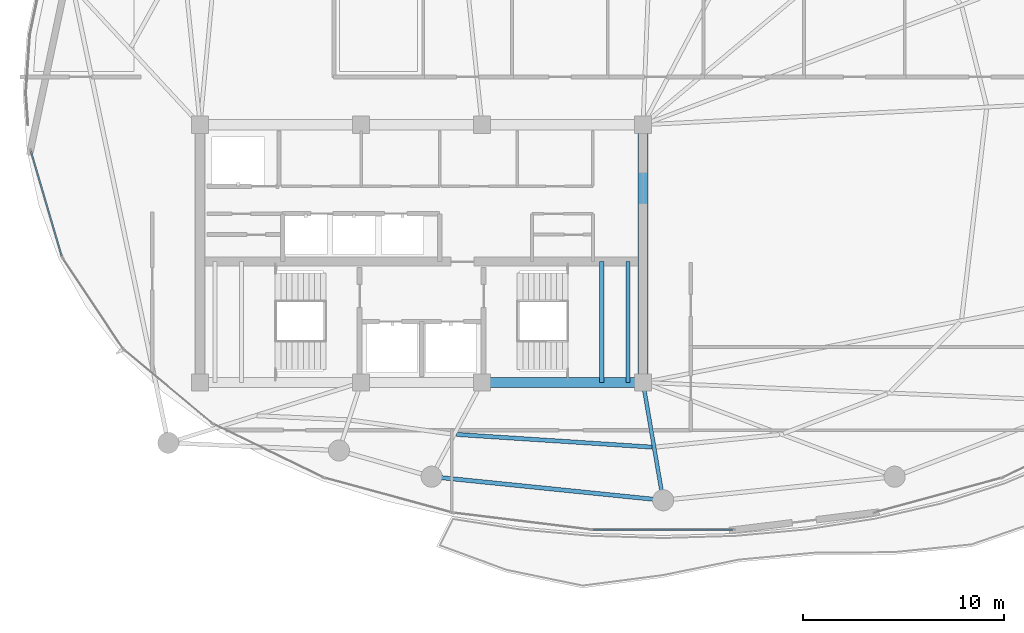
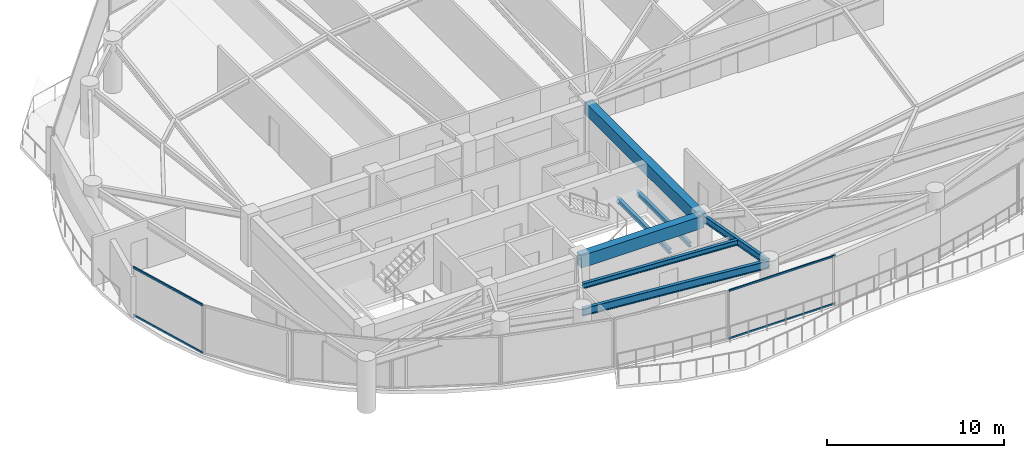
# One storey, part 6 of 28: 7 beams, 4 members, 2 elements without a shape of their own.
"""IFC4 building model written with IfcOpenShell, lengths in metres."""

from ifc_helpers import new_model, si_unit, direction, frame, origin, origin_2d, place, context, subcontext, project, spatial, rectangle, hollow_rectangle, i_section, extrude, material, layer, layer_set, material_profile, profile_set, type_object, element, aggregate, save


model = new_model("IFC4")

# Units and contexts
model_context = context("Model", 3, precision=1e-05, world=origin(), true_north=direction((0.0, 1.0)))
body_context = subcontext(model_context, "Body", "Model", "MODEL_VIEW")
ifc_project = project(units=[si_unit("LENGTHUNIT", "METRE"), si_unit("AREAUNIT", "SQUARE_METRE"), si_unit("VOLUMEUNIT", "CUBIC_METRE"), si_unit("PLANEANGLEUNIT", "RADIAN"), si_unit("MASSUNIT", "GRAM", prefix="KILO")], contexts=[model_context])

# Site, building, storey
site_placement = place(None, origin())
site = spatial("IfcSite", under=ifc_project, at=site_placement, CompositionType="ELEMENT")
building_placement = place(site_placement, origin())
building = spatial("IfcBuilding", under=site, at=building_placement, Name="Kazevale Care Tower and Concert Hall", CompositionType="ELEMENT")
storey_placement = place(building_placement, frame((0.0, 0.0, 246.0)))
storey = spatial("IfcBuildingStorey", under=building, at=storey_placement, Name="L65", CompositionType="ELEMENT", Elevation=246.0)

# Curtain wall, members
ifc_material_1 = material(Name="Aluminium 6063-T6 and Low-E Glass", Category="aluminium")
ifc_layer_1 = layer(ifc_material_1, 0.179931640625)
ifc_layer_set_1 = layer_set([ifc_layer_1], Name="Aluminium 6063-T6 and Low-E Glass")
curtain_wall_type_1 = type_object("IfcCurtainWallType", Name="Waist & Upper Residential Curtain Wall CW-4", PredefinedType="NOTDEFINED", material=ifc_layer_set_1)
curtain_wall_1_placement = place(storey_placement, origin())
curtain_wall_1 = element("IfcCurtainWall", 1, at=curtain_wall_1_placement, inside=storey, type_object=curtain_wall_type_1, Name="cw:L65:f12", PredefinedType="NOTDEFINED")
ifc_material_2 = material(Name="Aluminium 6063-T6", Category="aluminium")
ifc_material_profile_1 = material_profile(ifc_material_2, hollow_rectangle(XDim=0.080078125, YDim=0.139892578125, WallThickness=0.00390625, at=origin_2d()), Name="ALU80x140x4")
ifc_profile_set_1 = profile_set([ifc_material_profile_1], Name="Aluminium 6063-T6")
member_type_1 = type_object("IfcMemberType", Name="CW-4 Transom ALU80x140x4", PredefinedType="USERDEFINED", material=ifc_profile_set_1)
member_1_placement = place(storey_placement, frame((15.12548828125, 29.897705078125, 0.0400390625), z_axis=(-0.282102705943, 0.95938421047, 0.0), x_axis=(-0.95938421047, -0.282102705943, 0.0)))
member_1 = element("IfcMember", 2, at=member_1_placement, type_object=member_type_1, Name="CW-4 transom 1.1", ObjectType="TRANSOM", PredefinedType="USERDEFINED", context=body_context, shape_type="SweptSolid", body=[
    extrude(hollow_rectangle(XDim=0.080078125, YDim=0.139892578125, WallThickness=0.00390625, at=origin_2d()), origin(), (0.0, 0.0, 1.0), 5.402099609375),
])
member_2_placement = place(storey_placement, frame((15.12548828125, 29.897705078125, 3.320068359375), z_axis=(-0.282102705943, 0.95938421047, 0.0), x_axis=(-0.95938421047, -0.282102705943, 0.0)))
member_2 = element("IfcMember", 3, at=member_2_placement, type_object=member_type_1, Name="CW-4 transom 1.2", ObjectType="TRANSOM", PredefinedType="USERDEFINED", context=body_context, shape_type="SweptSolid", body=[
    extrude(hollow_rectangle(XDim=0.080078125, YDim=0.139892578125, WallThickness=0.00390625, at=origin_2d()), origin(), (0.0, 0.0, 1.0), 5.402099609375),
])
aggregate(curtain_wall_1, [member_1, member_2])

ifc_layer_2 = layer(ifc_material_1, 0.179931640625)
ifc_layer_set_2 = layer_set([ifc_layer_2], Name="Aluminium 6063-T6 and Low-E Glass")
curtain_wall_type_2 = type_object("IfcCurtainWallType", Name="Sheltered Concave Balcony Curtain Wall CW-5", PredefinedType="NOTDEFINED", material=ifc_layer_set_2)
curtain_wall_2_placement = place(storey_placement, origin())
curtain_wall_2 = element("IfcCurtainWall", 4, at=curtain_wall_2_placement, inside=storey, type_object=curtain_wall_type_2, Name="cw:L65:f06", PredefinedType="NOTDEFINED")
ifc_material_profile_2 = material_profile(ifc_material_2, hollow_rectangle(XDim=0.074951171875, YDim=0.1201171875, WallThickness=0.00390625, at=origin_2d()), Name="ALU75x120x4")
ifc_profile_set_2 = profile_set([ifc_material_profile_2], Name="Aluminium 6063-T6")
member_type_2 = type_object("IfcMemberType", Name="CW-5 Transom ALU75x120x4", PredefinedType="USERDEFINED", material=ifc_profile_set_2)
member_3_placement = place(storey_placement, frame((48.47509765625, 16.284912109375, 0.03759765625), z_axis=(-1.0, 0.0, 0.0), x_axis=(0.0, -1.0, 0.0)))
member_3 = element("IfcMember", 5, at=member_3_placement, type_object=member_type_2, Name="CW-5 transom 1.1", ObjectType="TRANSOM", PredefinedType="USERDEFINED", context=body_context, shape_type="SweptSolid", body=[
    extrude(hollow_rectangle(XDim=0.074951171875, YDim=0.1201171875, WallThickness=0.00390625, at=origin_2d()), origin(), (0.0, 0.0, 1.0), 6.9501953125),
])
member_4_placement = place(storey_placement, frame((48.47509765625, 16.284912109375, 3.322509765625), z_axis=(-1.0, 0.0, 0.0), x_axis=(0.0, -1.0, 0.0)))
member_4 = element("IfcMember", 6, at=member_4_placement, type_object=member_type_2, Name="CW-5 transom 1.2", ObjectType="TRANSOM", PredefinedType="USERDEFINED", context=body_context, shape_type="SweptSolid", body=[
    extrude(hollow_rectangle(XDim=0.074951171875, YDim=0.1201171875, WallThickness=0.00390625, at=origin_2d()), origin(), (0.0, 0.0, 1.0), 6.9501953125),
])
aggregate(curtain_wall_2, [member_3, member_4])

# Beams
ifc_material_3 = material(Name="Concrete C60", Category="concrete")
ifc_material_profile_3 = material_profile(ifc_material_3, rectangle(XDim=0.5, YDim=0.85009765625, at=origin_2d()), Name="RC-B500x850")
ifc_profile_set_3 = profile_set([ifc_material_profile_3], Name="Concrete C60")
beam_type_1 = type_object("IfcBeamType", Name="Core Coupling Beam RC500x850", PredefinedType="LINTEL", material=ifc_profile_set_3)
beam_1_placement = place(storey_placement, frame((36.0, 23.60009765625, 2.93505859375), z_axis=(1.0, 0.0, 0.0), x_axis=(0.0, 1.0, 0.0)))
element("IfcBeam", 7, at=beam_1_placement, inside=storey, type_object=beam_type_1, Name="beam:L65:coretie:3", PredefinedType="LINTEL", context=body_context, shape_type="SweptSolid", body=[
    extrude(rectangle(XDim=0.5, YDim=0.85009765625, at=origin_2d()), origin(), (0.0, 0.0, 1.0), 8.0),
])
beam_2_placement = place(storey_placement, frame((44.0, 23.60009765625, 2.93505859375), z_axis=(0.0, 1.0, 0.0), x_axis=(-1.0, 0.0, 0.0)))
element("IfcBeam", 8, at=beam_2_placement, inside=storey, type_object=beam_type_1, Name="beam:L65:coretie:4", PredefinedType="LINTEL", context=body_context, shape_type="SweptSolid", body=[
    extrude(rectangle(XDim=0.5, YDim=0.85009765625, at=origin_2d()), origin(), (0.0, 0.0, 1.0), 12.7998046875),
])
ifc_material_4 = material(Name="Steel ASTM A572 Gr 50", Category="steel")
ifc_material_profile_4 = material_profile(ifc_material_4, i_section(OverallWidth=0.19091796875, OverallDepth=0.4599609375, WebThickness=0.010009765625, FlangeThickness=0.01611328125, at=origin_2d()), Name="W460x82")
ifc_profile_set_4 = profile_set([ifc_material_profile_4], Name="Steel ASTM A572 Gr 50")
beam_type_2 = type_object("IfcBeamType", Name="Radial Floor Beam W460x82", PredefinedType="BEAM", material=ifc_profile_set_4)
beam_3_placement = place(storey_placement, frame((44.0, 23.60009765625, 3.1298828125), z_axis=(0.168493389607, -0.985702783631, 0.0), x_axis=(0.985702783631, 0.168493389607, 0.0)))
element("IfcBeam", 9, at=beam_3_placement, inside=storey, type_object=beam_type_2, Name="beam:L65:rad:13", PredefinedType="BEAM", context=body_context, shape_type="SweptSolid", body=[
    extrude(i_section(OverallWidth=0.19091796875, OverallDepth=0.4599609375, WebThickness=0.010009765625, FlangeThickness=0.01611328125, at=origin_2d()), origin(), (0.0, 0.0, 1.0), 5.93505859375),
])
ifc_material_profile_5 = material_profile(ifc_material_4, i_section(OverallWidth=0.205078125, OverallDepth=0.35400390625, WebThickness=0.009521484375, FlangeThickness=0.016845703125, at=origin_2d()), Name="W360x79")
ifc_profile_set_5 = profile_set([ifc_material_profile_5], Name="Steel ASTM A572 Gr 50")
beam_type_3 = type_object("IfcBeamType", Name="Secondary Floor Joist W360x79", PredefinedType="JOIST", material=ifc_profile_set_5)
beam_4_placement = place(storey_placement, frame((34.72998046875, 21.01904296875, 3.18310546875), z_axis=(0.997903161374, -0.064724651559, 0.0), x_axis=(0.064724651559, 0.997903161374, 0.0)))
element("IfcBeam", 10, at=beam_4_placement, inside=storey, type_object=beam_type_3, Name="beam:L65:joist:12", PredefinedType="JOIST", context=body_context, shape_type="SweptSolid", body=[
    extrude(i_section(OverallWidth=0.205078125, OverallDepth=0.35400390625, WebThickness=0.009521484375, FlangeThickness=0.016845703125, at=origin_2d()), origin(), (0.0, 0.0, 1.0), 9.735595703125),
])
ifc_material_profile_6 = material_profile(ifc_material_4, i_section(OverallWidth=0.202880859375, OverallDepth=0.302978515625, WebThickness=0.007568359375, FlangeThickness=0.01318359375, at=origin_2d()), Name="W310x60")
ifc_profile_set_6 = profile_set([ifc_material_profile_6], Name="Steel ASTM A572 Gr 50")
beam_type_4 = type_object("IfcBeamType", Name="Stair & Balcony Trimmer W310x60", PredefinedType="BEAM", material=ifc_profile_set_6)
for number, where, z_axis, x_axis, name in (
    (11, (41.949951171875, 23.60009765625, 1.448486328125), (0.0, 1.0, 0.0), (-1.0, 0.0, 0.0), "beam:L65:sttrim:ST2"),
    (12, (43.25, 23.60009765625, 1.448486328125), (0.0, 1.0, 0.0), (-1.0, 0.0, 0.0), "beam:L65:sttrim:ST2b"),
):
    element("IfcBeam", number, at=place(storey_placement, frame(where, z_axis=z_axis, x_axis=x_axis)), inside=storey, type_object=beam_type_4, Name=name, PredefinedType="BEAM", context=body_context, shape_type="SweptSolid", body=[
        extrude(i_section(OverallWidth=0.202880859375, OverallDepth=0.302978515625, WebThickness=0.007568359375, FlangeThickness=0.01318359375, at=origin_2d()), origin(), (0.0, 0.0, 1.0), 6.0),
    ])
ifc_material_profile_7 = material_profile(ifc_material_4, i_section(OverallWidth=0.208984375, OverallDepth=0.532958984375, WebThickness=0.01025390625, FlangeThickness=0.015625, at=origin_2d()), Name="W530x92")
ifc_profile_set_7 = profile_set([ifc_material_profile_7], Name="Steel ASTM A572 Gr 50")
beam_type_5 = type_object("IfcBeamType", Name="Upper Ring Beam W530x92", PredefinedType="BEAM", material=ifc_profile_set_7)
beam_5_placement = place(storey_placement, frame((33.5, 18.919921875, 3.093505859375), z_axis=(0.994865089307, -0.101209950492, 0.0), x_axis=(0.101209950492, 0.994865089307, 0.0)))
element("IfcBeam", 13, at=beam_5_placement, inside=storey, type_object=beam_type_5, Name="beam:L65:ring:12", PredefinedType="BEAM", context=body_context, shape_type="SweptSolid", body=[
    extrude(i_section(OverallWidth=0.208984375, OverallDepth=0.532958984375, WebThickness=0.01025390625, FlangeThickness=0.015625, at=origin_2d()), origin(), (0.0, 0.0, 1.0), 11.559326171875),
])

save(model, "model.ifc")
